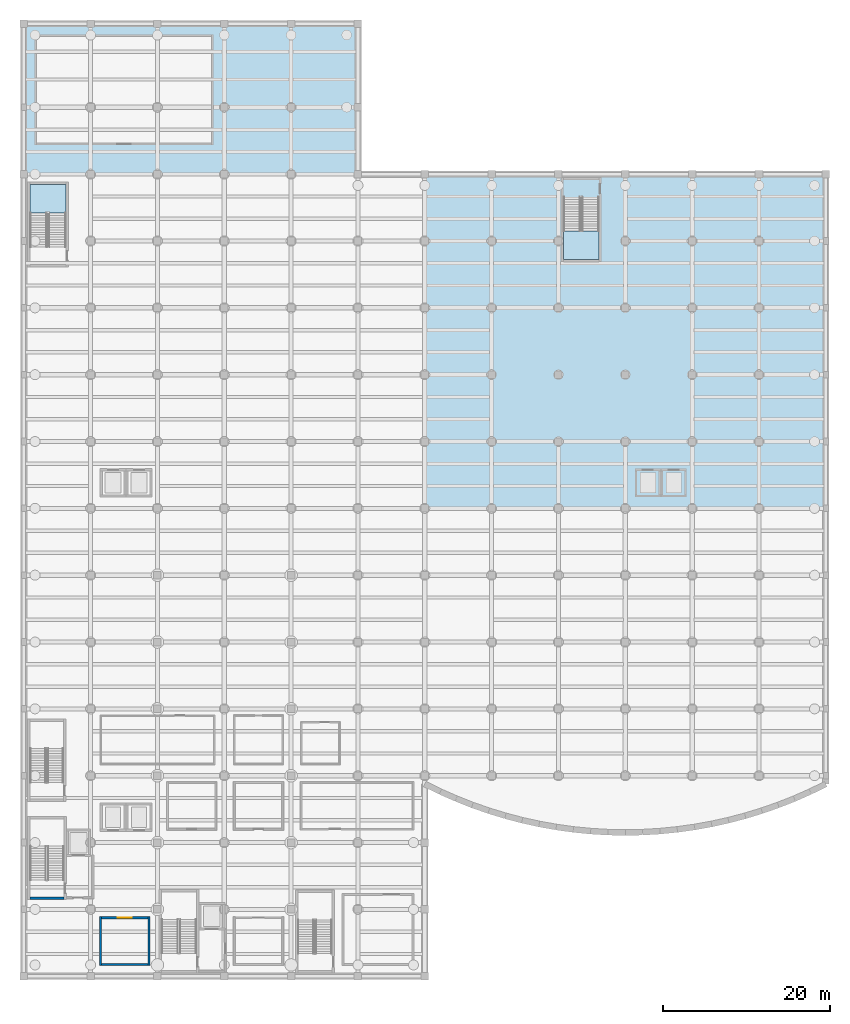
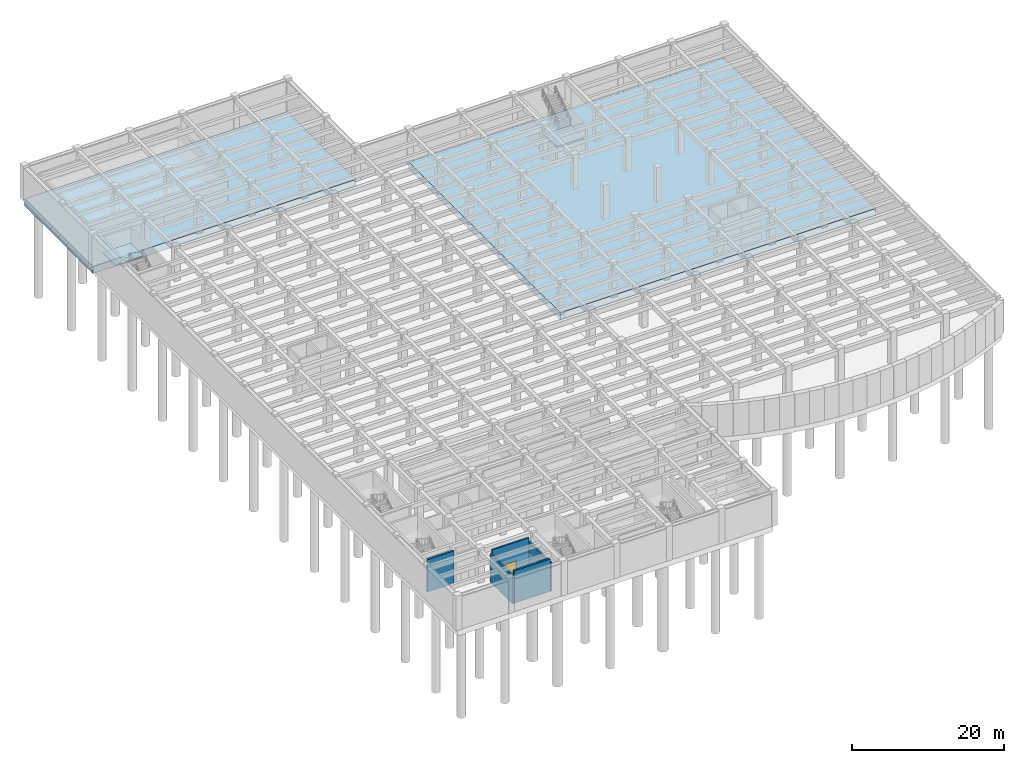
# One storey, part 5 of 18: 5 walls, 4 slabs, 1 door, 1 opening, 2 elements without a shape of their own.
"""IFC4 building model written with IfcOpenShell, lengths in metres."""

from ifc_helpers import new_model, si_unit, direction, frame, frame_2d, origin, place, context, subcontext, project, spatial, polyline, rectangle, outline, extrude, material, layer, layer_set, type_object, element, fill, aggregate, save


model = new_model("IFC4")

# Units and contexts
model_context = context("Model", 3, precision=1e-05, world=origin(), true_north=direction((0.0, 1.0)))
body_context = subcontext(model_context, "Body", "Model", "MODEL_VIEW")
ifc_project = project(units=[si_unit("LENGTHUNIT", "METRE"), si_unit("AREAUNIT", "SQUARE_METRE"), si_unit("VOLUMEUNIT", "CUBIC_METRE"), si_unit("PLANEANGLEUNIT", "RADIAN"), si_unit("MASSUNIT", "GRAM", prefix="KILO")], contexts=[model_context])

# Site, building, storey
site_placement = place(None, origin())
site = spatial("IfcSite", under=ifc_project, at=site_placement, CompositionType="ELEMENT")
building_placement = place(site_placement, origin())
building = spatial("IfcBuilding", under=site, at=building_placement, Name="Drelvath Fold Interchange", CompositionType="ELEMENT")
storey_placement = place(building_placement, frame((0.0, 0.0, -11.199951171875)))
storey = spatial("IfcBuildingStorey", under=building, at=storey_placement, Name="B2", CompositionType="ELEMENT", Elevation=-11.199951171875)

# Slabs
ifc_material_1 = material(Name="Concrete f'c 45 MPa (6500 psi)", Category="concrete")
ifc_layer_1 = layer(ifc_material_1, 1.139892578125, Name="Concrete f'c 45 MPa (6500 psi)")
ifc_layer_set_1 = layer_set([ifc_layer_1], Name="Concrete f'c 45 MPa (6500 psi)")
slab_type_1 = type_object("IfcSlabType", Name="BS-02", PredefinedType="BASESLAB", material=ifc_layer_set_1)
slab_1_placement = place(storey_placement, frame((0.0, 0.0, -1.14013671875)))
element("IfcSlab", 1, at=slab_1_placement, inside=storey, type_object=slab_type_1, Name="B2 structural slab SL-B2-V1E", PredefinedType="BASESLAB", context=body_context, shape_type="SweptSolid", body=[
    extrude(outline(polyline([(52.0, 59.0), (100.0, 59.0), (100.0, 99.0), (52.0, 99.0), (52.0, 59.0)])), origin(), (0.0, 0.0, 1.0), 1.14013671875),
])
slab_2_placement = place(storey_placement, frame((0.0, 0.0, -1.14013671875)))
element("IfcSlab", 2, at=slab_2_placement, inside=storey, type_object=slab_type_1, Name="B2 structural slab SL-B2-V1N", PredefinedType="BASESLAB", context=body_context, shape_type="SweptSolid", body=[
    extrude(outline(polyline([(4.0, 99.0), (44.0, 99.0), (44.0, 117.0), (4.0, 117.0), (4.0, 99.0)])), origin(), (0.0, 0.0, 1.0), 1.14013671875),
])

# Stair, slab
ifc_material_2 = material(Name="Concrete f'c 35 MPa (5000 psi)", Category="concrete")
stair_type_1 = type_object("IfcStairType", Name="STR-05", PredefinedType="HALF_TURN_STAIR", material=ifc_material_2)
stair_1_placement = place(storey_placement, origin())
stair_1 = element("IfcStair", 3, at=stair_1_placement, inside=storey, type_object=stair_type_1, Name="B2 Protected Exit Stair ST-05", PredefinedType="HALF_TURN_STAIR")
ifc_layer_2 = layer(ifc_material_2, 0.199951171875, Name="Concrete f'c 35 MPa (5000 psi)")
ifc_layer_set_2 = layer_set([ifc_layer_2], Name="Concrete f'c 35 MPa (5000 psi)")
slab_type_2 = type_object("IfcSlabType", Name="SL-LND200", PredefinedType="LANDING", material=ifc_layer_set_2)
slab_3_placement = place(storey_placement, frame((0.0, 0.0, 2.599853515625)))
slab_3 = element("IfcSlab", 4, at=slab_3_placement, type_object=slab_type_2, Name="ST-05 landing 1", PredefinedType="LANDING", context=body_context, shape_type="SweptSolid", body=[
    extrude(outline(polyline([(9.030029296875, 94.360107421875), (9.030029296875, 97.75), (4.75, 97.75), (4.75, 94.360107421875), (9.030029296875, 94.360107421875)])), origin(), (0.0, 0.0, 1.0), 0.2001953125),
])
aggregate(stair_1, [slab_3])

stair_type_2 = type_object("IfcStairType", Name="STR-06", PredefinedType="HALF_TURN_STAIR", material=ifc_material_2)
stair_2_placement = place(storey_placement, origin())
stair_2 = element("IfcStair", 5, at=stair_2_placement, inside=storey, type_object=stair_type_2, Name="B2 Protected Exit Stair ST-06", PredefinedType="HALF_TURN_STAIR")
slab_4_placement = place(storey_placement, frame((0.0, 0.0, 2.599853515625)))
slab_4 = element("IfcSlab", 6, at=slab_4_placement, type_object=slab_type_2, Name="ST-06 landing 1", PredefinedType="LANDING", context=body_context, shape_type="SweptSolid", body=[
    extrude(outline(polyline([(68.60009765625, 92.18994140625), (68.60009765625, 88.800048828125), (72.820068359375, 88.800048828125), (72.820068359375, 92.18994140625), (68.60009765625, 92.18994140625)])), origin(), (0.0, 0.0, 1.0), 0.2001953125),
])
aggregate(stair_2, [slab_4])

# Walls
ifc_layer_3 = layer(ifc_material_1, 0.300048828125, Name="Concrete f'c 45 MPa (6500 psi)")
ifc_layer_set_3 = layer_set([ifc_layer_3], Name="Concrete f'c 45 MPa (6500 psi)")
wall_type_1 = type_object("IfcWallType", Name="WL-CR300", PredefinedType="SHEAR", material=ifc_layer_set_3)
wall_1_placement = place(storey_placement, frame((4.75, 12.35009765625, 0.0), z_axis=(0.0, 0.0, 1.0), x_axis=(1.0, 0.0, 0.0)))
element("IfcWall", 7, at=wall_1_placement, inside=storey, type_object=wall_type_1, Name="ST-01 B2 south core wall", PredefinedType="SHEAR", context=body_context, shape_type="SweptSolid", body=[
    extrude(rectangle(XDim=4.06005859375, YDim=0.300048828125, at=frame_2d((2.030029296875, 0.0))), origin(), (0.0, 0.0, 1.0), 5.23486328125),
])
ifc_layer_4 = layer(ifc_material_2, 0.2451171875, Name="Concrete f'c 35 MPa (5000 psi)")
ifc_layer_set_4 = layer_set([ifc_layer_4], Name="Concrete f'c 35 MPa (5000 psi)")
wall_type_2 = type_object("IfcWallType", Name="WL-FR245", PredefinedType="SOLIDWALL", material=ifc_layer_set_4)
wall_2_placement = place(storey_placement, frame((13.322021484375, 4.39990234375, 0.0), z_axis=(0.0, 0.0, 1.0), x_axis=(1.0, 0.0, 0.0)))
element("IfcWall", 8, at=wall_2_placement, inside=storey, type_object=wall_type_2, Name="Traction Power Substation West S partition", PredefinedType="SOLIDWALL", context=body_context, shape_type="SweptSolid", body=[
    extrude(rectangle(XDim=5.555908203125, YDim=0.2451171875, at=frame_2d((2.77783203125, 0.0))), origin(), (0.0, 0.0, 1.0), 5.219970703125),
])
wall_3_placement = place(storey_placement, frame((19.0, 4.278076171875, 0.0), z_axis=(0.0, 0.0, 1.0), x_axis=(0.0, 1.0, 0.0)))
element("IfcWall", 9, at=wall_3_placement, inside=storey, type_object=wall_type_2, Name="Traction Power Substation West E partition", PredefinedType="SOLIDWALL", context=body_context, shape_type="SweptSolid", body=[
    extrude(rectangle(XDim=5.844970703125, YDim=0.2451171875, at=frame_2d((2.92236328125, 0.0))), origin(), (0.0, 0.0, 1.0), 4.5849609375),
])

# Wall, opening, door
wall_4_placement = place(storey_placement, frame((18.8779296875, 10.0, 0.0), z_axis=(0.0, 0.0, 1.0), x_axis=(-1.0, 0.0, 0.0)))
wall_4 = element("IfcWall", 10, at=wall_4_placement, inside=storey, type_object=wall_type_2, Name="Traction Power Substation West N partition", PredefinedType="SOLIDWALL", context=body_context, shape_type="SweptSolid", body=[
    extrude(rectangle(XDim=5.555908203125, YDim=0.2451171875, at=frame_2d((2.77783203125, 0.0))), origin(), (0.0, 0.0, 1.0), 5.219970703125),
])
opening_placement = place(wall_4_placement, frame((1.952880859375, 0.0, 0.0)))
opening = element("IfcOpeningElement", 11, at=opening_placement, cuts=wall_4, Name="Opening D-B2-070", PredefinedType="OPENING", context=body_context, shape_type="SweptSolid", body=[
    extrude(rectangle(XDim=1.64990234375, YDim=2.199951171875, at=frame_2d((0.824951171875, 1.10009765625))), frame((0.0, 0.132568359375, 0.0), z_axis=(0.0, -1.0, 0.0), x_axis=(1.0, 0.0, 0.0)), (0.0, 0.0, 1.0), 0.26513671875),
])
ifc_material_3 = material(Name="Insulated Hollow Metal Door Assembly")
door_type = type_object("IfcDoorType", Name="DR-FD165", OperationType="DOUBLE_DOOR_SINGLE_SWING", PredefinedType="DOOR", material=ifc_material_3)
door_placement = place(opening_placement, frame((1.64990234375, 0.0, 0.0), z_axis=(0.0, 0.0, 1.0), x_axis=(-1.0, 0.0, 0.0)))
door = element("IfcDoor", 12, at=door_placement, inside=storey, type_object=door_type, Name="Traction Power Substation West door D-B2-070", OperationType="DOUBLE_DOOR_SINGLE_SWING", OverallHeight=2.199951171875, OverallWidth=1.64990234375, PredefinedType="DOOR", context=body_context, shape_type="SweptSolid", body=[
    extrude(rectangle(XDim=1.64990234375, YDim=2.199951171875, at=frame_2d((0.824951171875, 1.10009765625))), frame((0.0, 0.02490234375, 0.0), z_axis=(0.0, -1.0, 0.0), x_axis=(1.0, 0.0, 0.0)), (0.0, 0.0, 1.0), 0.050048828125),
])
fill(opening, door)

# Wall
wall_5_placement = place(storey_placement, frame((13.199951171875, 10.123046875, 0.0), z_axis=(0.0, 0.0, 1.0), x_axis=(0.0, -1.0, 0.0)))
element("IfcWall", 13, at=wall_5_placement, inside=storey, type_object=wall_type_2, Name="Traction Power Substation West W partition", PredefinedType="SOLIDWALL", context=body_context, shape_type="SweptSolid", body=[
    extrude(rectangle(XDim=5.844970703125, YDim=0.2451171875, at=frame_2d((2.92236328125, 0.0))), origin(), (0.0, 0.0, 1.0), 4.5849609375),
])

save(model, "model.ifc")
